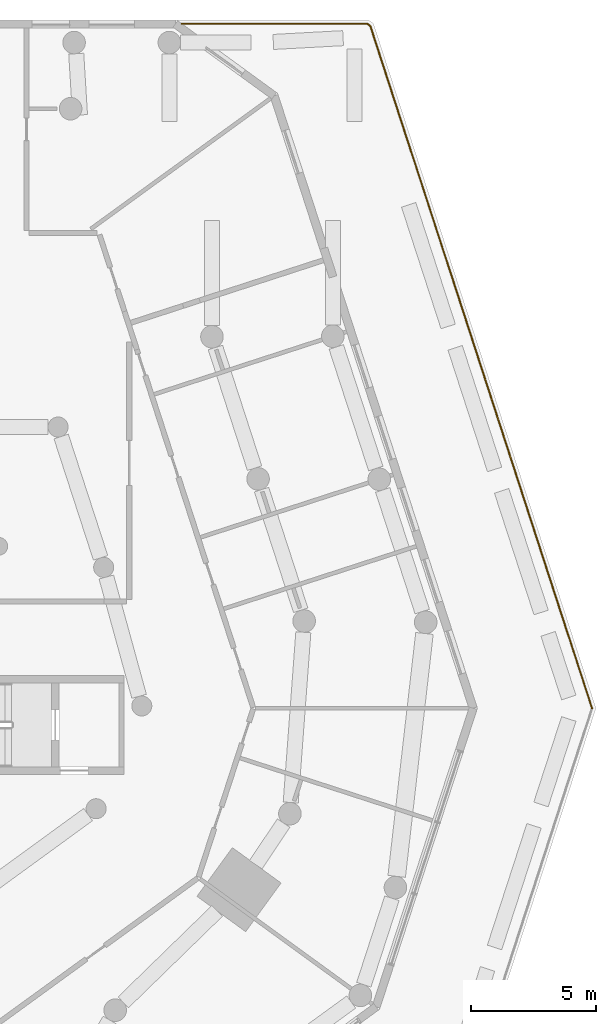
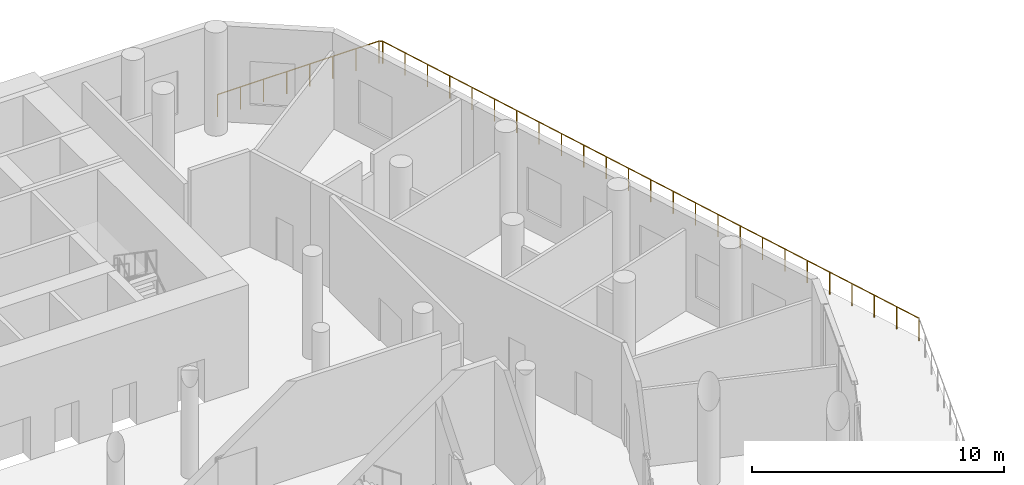
# One storey, part 18 of 19: 1 railing.
"""IFC4 building model written with IfcOpenShell, lengths in metres."""

from ifc_helpers import new_model, si_unit, direction, frame, origin, origin_2d, place, context, subcontext, project, spatial, circle, extrude, material, type_object, element, save


model = new_model("IFC4")

# Units and contexts
model_context = context("Model", 3, precision=1e-05, world=origin(), true_north=direction((0.0, 1.0)))
body_context = subcontext(model_context, "Body", "Model", "MODEL_VIEW")
ifc_project = project(units=[si_unit("LENGTHUNIT", "METRE"), si_unit("AREAUNIT", "SQUARE_METRE"), si_unit("VOLUMEUNIT", "CUBIC_METRE"), si_unit("PLANEANGLEUNIT", "RADIAN"), si_unit("MASSUNIT", "GRAM", prefix="KILO")], contexts=[model_context])

# Site, building, storey
site_placement = place(None, origin())
site = spatial("IfcSite", under=ifc_project, at=site_placement, CompositionType="ELEMENT")
building_placement = place(site_placement, origin())
building = spatial("IfcBuilding", under=site, at=building_placement, Name="White Candle Pilgrim Tower", CompositionType="ELEMENT")
storey_placement = place(building_placement, frame((0.0, 0.0, 29.0)))
storey = spatial("IfcBuildingStorey", under=building, at=storey_placement, Name="L04", CompositionType="ELEMENT", Elevation=29.0)

# Railing
ifc_material = material(Name="Steel S355 painted", Category="steel")
railing_type = type_object("IfcRailingType", Name="Guard GD1 1100", PredefinedType="GUARDRAIL", material=ifc_material)
railing_placement = place(storey_placement, frame((89.29931640625, 87.85009765625, 0.0)))
element("IfcRailing", 1, at=railing_placement, inside=storey, type_object=railing_type, Name="Terrace guard L04", PredefinedType="GUARDRAIL", context=body_context, shape_type="SweptSolid", body=[
    extrude(circle(Radius=0.02490234375, at=origin_2d()), frame((0.0, 0.0, 1.0751953125), z_axis=(1.0, 0.0, 0.0), x_axis=(0.0, 1.0, 0.0)), (0.0, 0.0, 1.0), 7.400634765625),
    extrude(circle(Radius=0.02490234375, at=origin_2d()), frame((7.400634765625, 0.0, 1.0751953125), z_axis=(0.808450017337, -0.588564838797, 0.0), x_axis=(0.588564838797, 0.808450017337, 0.0)), (0.0, 0.0, 1.0), 0.147705078125),
    extrude(circle(Radius=0.02490234375, at=origin_2d()), frame((7.52001953125, -0.0869140625, 1.0751953125), z_axis=(0.309021079922, -0.951055188811, 0.0), x_axis=(0.951055188811, 0.309021079922, 0.0)), (0.0, 0.0, 1.0), 28.625),
    extrude(circle(Radius=0.02490234375, at=origin_2d()), origin(), (0.0, 0.0, 1.0), 1.050048828125),
    extrude(circle(Radius=0.02490234375, at=origin_2d()), frame((1.05712890625, 0.0, 0.0)), (0.0, 0.0, 1.0), 1.050048828125),
    extrude(circle(Radius=0.02490234375, at=origin_2d()), frame((2.114501953125, 0.0, 0.0)), (0.0, 0.0, 1.0), 1.050048828125),
    extrude(circle(Radius=0.02490234375, at=origin_2d()), frame((3.171630859375, 0.0, 0.0)), (0.0, 0.0, 1.0), 1.050048828125),
    extrude(circle(Radius=0.02490234375, at=origin_2d()), frame((4.22900390625, 0.0, 0.0)), (0.0, 0.0, 1.0), 1.050048828125),
    extrude(circle(Radius=0.02490234375, at=origin_2d()), frame((5.2861328125, 0.0, 0.0)), (0.0, 0.0, 1.0), 1.050048828125),
    extrude(circle(Radius=0.02490234375, at=origin_2d()), frame((6.343505859375, 0.0, 0.0)), (0.0, 0.0, 1.0), 1.050048828125),
    extrude(circle(Radius=0.02490234375, at=origin_2d()), frame((7.400634765625, 0.0, 0.0)), (0.0, 0.0, 1.0), 1.050048828125),
    extrude(circle(Radius=0.02490234375, at=origin_2d()), frame((7.52001953125, -0.0869140625, 0.0)), (0.0, 0.0, 1.0), 1.050048828125),
    extrude(circle(Radius=0.02490234375, at=origin_2d()), frame((7.888671875, -1.22119140625, 0.0)), (0.0, 0.0, 1.0), 1.050048828125),
    extrude(circle(Radius=0.02490234375, at=origin_2d()), frame((8.257080078125, -2.35546875, 0.0)), (0.0, 0.0, 1.0), 1.050048828125),
    extrude(circle(Radius=0.02490234375, at=origin_2d()), frame((8.625732421875, -3.489990234375, 0.0)), (0.0, 0.0, 1.0), 1.050048828125),
    extrude(circle(Radius=0.02490234375, at=origin_2d()), frame((8.994384765625, -4.624267578125, 0.0)), (0.0, 0.0, 1.0), 1.050048828125),
    extrude(circle(Radius=0.02490234375, at=origin_2d()), frame((9.36279296875, -5.758544921875, 0.0)), (0.0, 0.0, 1.0), 1.050048828125),
    extrude(circle(Radius=0.02490234375, at=origin_2d()), frame((9.7314453125, -6.892822265625, 0.0)), (0.0, 0.0, 1.0), 1.050048828125),
    extrude(circle(Radius=0.02490234375, at=origin_2d()), frame((10.10009765625, -8.027099609375, 0.0)), (0.0, 0.0, 1.0), 1.050048828125),
    extrude(circle(Radius=0.02490234375, at=origin_2d()), frame((10.468505859375, -9.16162109375, 0.0)), (0.0, 0.0, 1.0), 1.050048828125),
    extrude(circle(Radius=0.02490234375, at=origin_2d()), frame((10.837158203125, -10.2958984375, 0.0)), (0.0, 0.0, 1.0), 1.050048828125),
    extrude(circle(Radius=0.02490234375, at=origin_2d()), frame((11.205810546875, -11.43017578125, 0.0)), (0.0, 0.0, 1.0), 1.050048828125),
    extrude(circle(Radius=0.02490234375, at=origin_2d()), frame((11.57421875, -12.564453125, 0.0)), (0.0, 0.0, 1.0), 1.050048828125),
    extrude(circle(Radius=0.02490234375, at=origin_2d()), frame((11.94287109375, -13.69873046875, 0.0)), (0.0, 0.0, 1.0), 1.050048828125),
    extrude(circle(Radius=0.02490234375, at=origin_2d()), frame((12.3115234375, -14.833251953125, 0.0)), (0.0, 0.0, 1.0), 1.050048828125),
    extrude(circle(Radius=0.02490234375, at=origin_2d()), frame((12.679931640625, -15.967529296875, 0.0)), (0.0, 0.0, 1.0), 1.050048828125),
    extrude(circle(Radius=0.02490234375, at=origin_2d()), frame((13.048583984375, -17.101806640625, 0.0)), (0.0, 0.0, 1.0), 1.050048828125),
    extrude(circle(Radius=0.02490234375, at=origin_2d()), frame((13.417236328125, -18.236083984375, 0.0)), (0.0, 0.0, 1.0), 1.050048828125),
    extrude(circle(Radius=0.02490234375, at=origin_2d()), frame((13.78564453125, -19.37060546875, 0.0)), (0.0, 0.0, 1.0), 1.050048828125),
    extrude(circle(Radius=0.02490234375, at=origin_2d()), frame((14.154296875, -20.5048828125, 0.0)), (0.0, 0.0, 1.0), 1.050048828125),
    extrude(circle(Radius=0.02490234375, at=origin_2d()), frame((14.52294921875, -21.63916015625, 0.0)), (0.0, 0.0, 1.0), 1.050048828125),
    extrude(circle(Radius=0.02490234375, at=origin_2d()), frame((14.891357421875, -22.7734375, 0.0)), (0.0, 0.0, 1.0), 1.050048828125),
    extrude(circle(Radius=0.02490234375, at=origin_2d()), frame((15.260009765625, -23.90771484375, 0.0)), (0.0, 0.0, 1.0), 1.050048828125),
    extrude(circle(Radius=0.02490234375, at=origin_2d()), frame((15.628662109375, -25.042236328125, 0.0)), (0.0, 0.0, 1.0), 1.050048828125),
    extrude(circle(Radius=0.02490234375, at=origin_2d()), frame((15.9970703125, -26.176513671875, 0.0)), (0.0, 0.0, 1.0), 1.050048828125),
    extrude(circle(Radius=0.02490234375, at=origin_2d()), frame((16.36572265625, -27.310791015625, 0.0)), (0.0, 0.0, 1.0), 1.050048828125),
])

save(model, "model.ifc")
